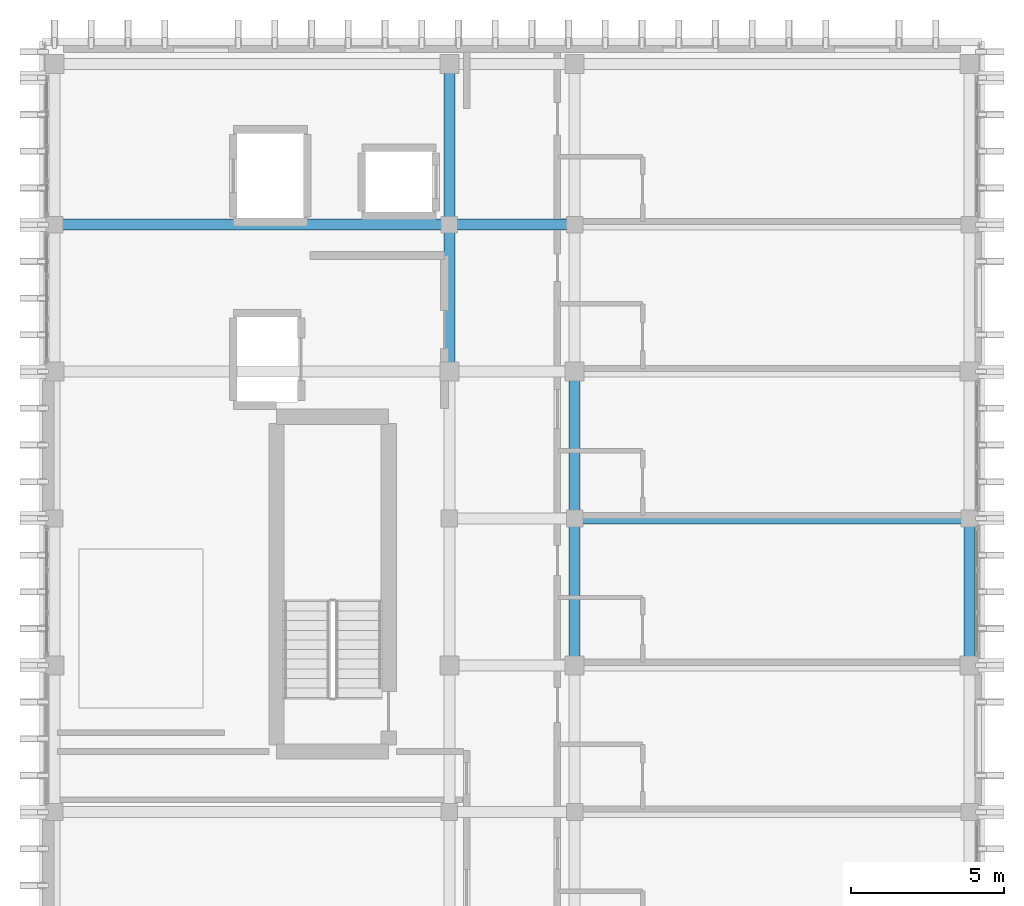
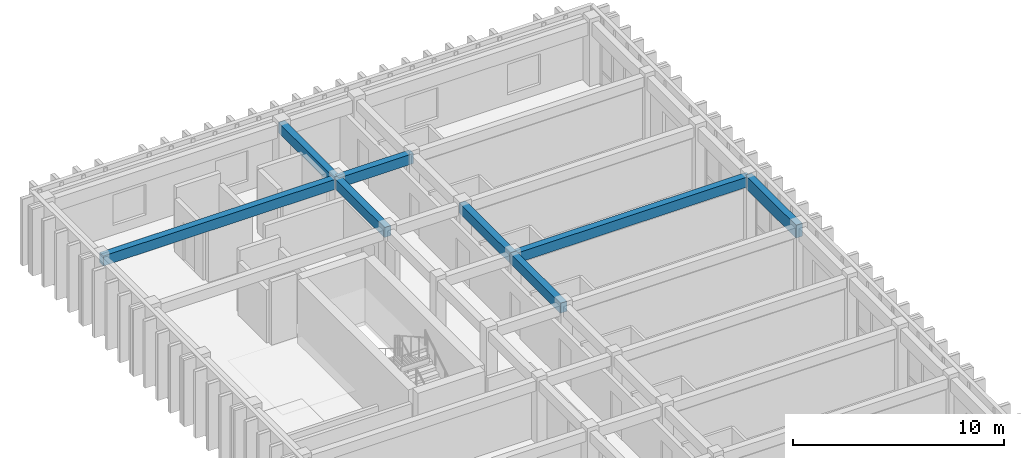
# One storey, part 31 of 50: 8 beams.
"""IFC4 building model written with IfcOpenShell, lengths in metres."""

from ifc_helpers import new_model, si_unit, direction, frame, origin, origin_2d, place, context, subcontext, project, spatial, rectangle, extrude, material, material_profile, profile_set, type_object, element, save


model = new_model("IFC4")

# Units and contexts
model_context = context("Model", 3, precision=1e-05, world=origin(), true_north=direction((0.0, 1.0)))
body_context = subcontext(model_context, "Body", "Model", "MODEL_VIEW")
ifc_project = project(units=[si_unit("LENGTHUNIT", "METRE"), si_unit("AREAUNIT", "SQUARE_METRE"), si_unit("VOLUMEUNIT", "CUBIC_METRE"), si_unit("PLANEANGLEUNIT", "RADIAN"), si_unit("MASSUNIT", "GRAM", prefix="KILO")], contexts=[model_context])

# Site, building, storey
site_placement = place(None, origin())
site = spatial("IfcSite", under=ifc_project, at=site_placement, CompositionType="ELEMENT")
building_placement = place(site_placement, origin())
building = spatial("IfcBuilding", under=site, at=building_placement, Name="Nakhvara Creek Congress Hotel", CompositionType="ELEMENT")
storey_placement = place(building_placement, frame((0.0, 0.0, 42.60009765625)))
storey = spatial("IfcBuildingStorey", under=building, at=storey_placement, Name="L10", CompositionType="ELEMENT", Elevation=42.60009765625)

# Beams
ifc_material = material(Name="Concrete C40/50", Category="concrete")
ifc_material_profile_1 = material_profile(ifc_material, rectangle(XDim=0.360107421875, YDim=0.580078125, at=origin_2d()), Name="RC-BM 360x580", Category="LoadBearing")
ifc_profile_set_1 = profile_set([ifc_material_profile_1], Name="Concrete C40/50")
beam_type_1 = type_object("IfcBeamType", Name="BM-RC-360X580", PredefinedType="BEAM", material=ifc_profile_set_1)
beam_1_placement = place(storey_placement, frame((162.35009765625, 115.199951171875, 3.369873046875), z_axis=(0.0, 1.0, 0.0), x_axis=(-1.0, 0.0, 0.0)))
element("IfcBeam", 1, at=beam_1_placement, inside=storey, type_object=beam_type_1, Name="Beam B09-L10-2665", PredefinedType="BEAM", context=body_context, shape_type="SweptSolid", body=[
    extrude(rectangle(XDim=0.360107421875, YDim=0.580078125, at=origin_2d()), origin(), (0.0, 0.0, 1.0), 4.800048828125),
])
beam_2_placement = place(storey_placement, frame((162.35009765625, 120.0, 3.369873046875), z_axis=(0.0, 1.0, 0.0), x_axis=(-1.0, 0.0, 0.0)))
element("IfcBeam", 2, at=beam_2_placement, inside=storey, type_object=beam_type_1, Name="Beam B09-L10-2667", PredefinedType="BEAM", context=body_context, shape_type="SweptSolid", body=[
    extrude(rectangle(XDim=0.360107421875, YDim=0.580078125, at=origin_2d()), origin(), (0.0, 0.0, 1.0), 5.25),
])
beam_3_placement = place(storey_placement, frame((166.449951171875, 105.60009765625, 3.369873046875), z_axis=(0.0, 1.0, 0.0), x_axis=(-1.0, 0.0, 0.0)))
element("IfcBeam", 3, at=beam_3_placement, inside=storey, type_object=beam_type_1, Name="Beam B09-L10-2682", PredefinedType="BEAM", context=body_context, shape_type="SweptSolid", body=[
    extrude(rectangle(XDim=0.360107421875, YDim=0.580078125, at=origin_2d()), origin(), (0.0, 0.0, 1.0), 4.7998046875),
])
beam_4_placement = place(storey_placement, frame((166.449951171875, 110.39990234375, 3.369873046875), z_axis=(0.0, 1.0, 0.0), x_axis=(-1.0, 0.0, 0.0)))
element("IfcBeam", 4, at=beam_4_placement, inside=storey, type_object=beam_type_1, Name="Beam B09-L10-2684", PredefinedType="BEAM", context=body_context, shape_type="SweptSolid", body=[
    extrude(rectangle(XDim=0.360107421875, YDim=0.580078125, at=origin_2d()), origin(), (0.0, 0.0, 1.0), 4.800048828125),
])
beam_5_placement = place(storey_placement, frame((149.449951171875, 120.0, 3.369873046875), z_axis=(1.0, 0.0, 0.0), x_axis=(0.0, 1.0, 0.0)))
element("IfcBeam", 5, at=beam_5_placement, inside=storey, type_object=beam_type_1, Name="Beam B09-L10-2705", PredefinedType="BEAM", context=body_context, shape_type="SweptSolid", body=[
    extrude(rectangle(XDim=0.360107421875, YDim=0.580078125, at=origin_2d()), origin(), (0.0, 0.0, 1.0), 12.900146484375),
])
beam_6_placement = place(storey_placement, frame((162.35009765625, 120.0, 3.369873046875), z_axis=(1.0, 0.0, 0.0), x_axis=(0.0, 1.0, 0.0)))
element("IfcBeam", 6, at=beam_6_placement, inside=storey, type_object=beam_type_1, Name="Beam B09-L10-2712", PredefinedType="BEAM", context=body_context, shape_type="SweptSolid", body=[
    extrude(rectangle(XDim=0.360107421875, YDim=0.580078125, at=origin_2d()), origin(), (0.0, 0.0, 1.0), 4.099853515625),
])
beam_7_placement = place(storey_placement, frame((166.449951171875, 110.39990234375, 3.369873046875), z_axis=(1.0, 0.0, 0.0), x_axis=(0.0, 1.0, 0.0)))
element("IfcBeam", 7, at=beam_7_placement, inside=storey, type_object=beam_type_1, Name="Beam B09-L10-2718", PredefinedType="BEAM", context=body_context, shape_type="SweptSolid", body=[
    extrude(rectangle(XDim=0.360107421875, YDim=0.580078125, at=origin_2d()), origin(), (0.0, 0.0, 1.0), 12.900146484375),
])
ifc_material_profile_2 = material_profile(ifc_material, rectangle(XDim=0.35009765625, YDim=0.75, at=origin_2d()), Name="RC-SPANDREL 350x750", Category="LoadBearing")
ifc_profile_set_2 = profile_set([ifc_material_profile_2], Name="Concrete C40/50")
beam_type_2 = type_object("IfcBeamType", Name="BM-SPN-350X750", PredefinedType="SPANDREL", material=ifc_profile_set_2)
beam_8_placement = place(storey_placement, frame((179.35009765625, 105.60009765625, 3.284912109375), z_axis=(0.0, 1.0, 0.0), x_axis=(-1.0, 0.0, 0.0)))
element("IfcBeam", 8, at=beam_8_placement, inside=storey, type_object=beam_type_2, Name="Beam SP1-L10-2697", PredefinedType="SPANDREL", context=body_context, shape_type="SweptSolid", body=[
    extrude(rectangle(XDim=0.35009765625, YDim=0.75, at=origin_2d()), origin(), (0.0, 0.0, 1.0), 4.7998046875),
])

save(model, "model.ifc")
